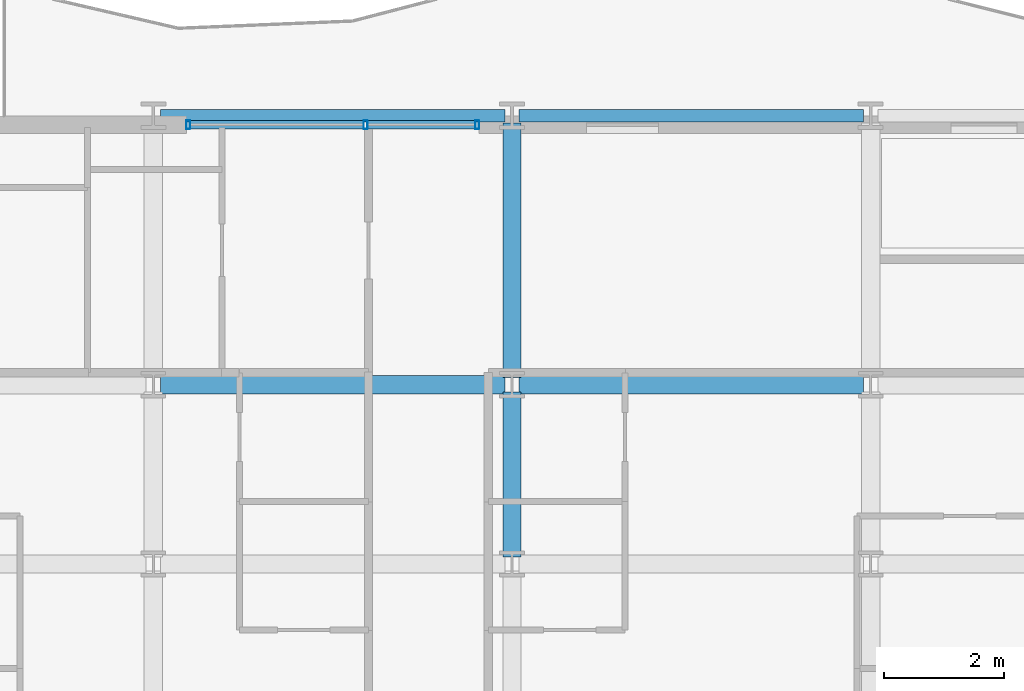
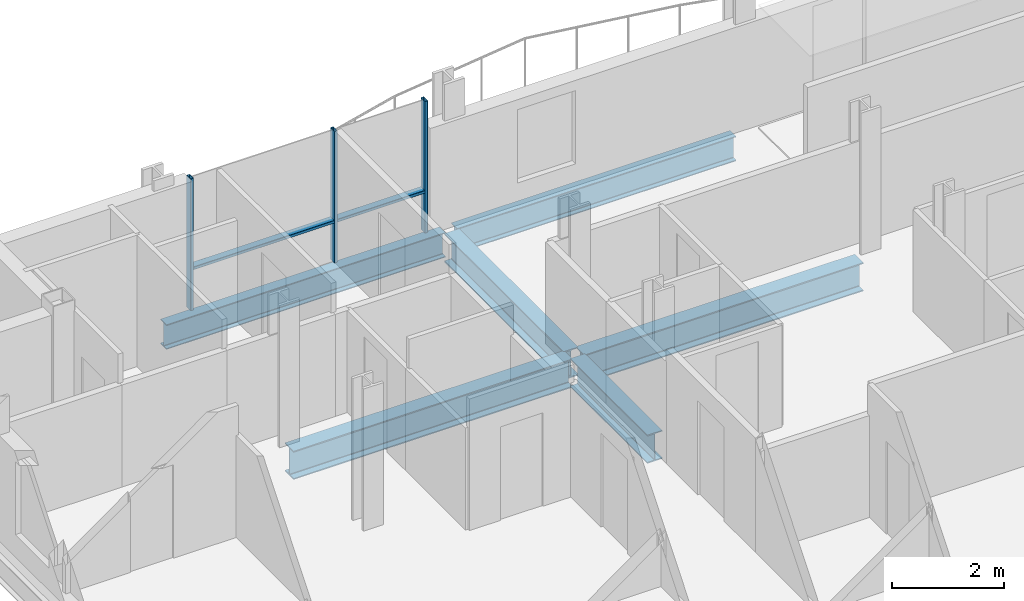
# One storey, part 7 of 39: 6 beams, 5 members, 1 element without a shape of its own.
"""IFC4 building model written with IfcOpenShell, lengths in metres."""

from ifc_helpers import new_model, si_unit, direction, frame, origin, origin_2d, place, context, subcontext, project, spatial, hollow_rectangle, i_section, extrude, material, layer, layer_set, material_profile, profile_set, type_object, element, aggregate, save


model = new_model("IFC4")

# Units and contexts
model_context = context("Model", 3, precision=1e-05, world=origin(), true_north=direction((0.0, 1.0)))
body_context = subcontext(model_context, "Body", "Model", "MODEL_VIEW")
ifc_project = project(units=[si_unit("LENGTHUNIT", "METRE"), si_unit("AREAUNIT", "SQUARE_METRE"), si_unit("VOLUMEUNIT", "CUBIC_METRE"), si_unit("PLANEANGLEUNIT", "RADIAN"), si_unit("MASSUNIT", "GRAM", prefix="KILO")], contexts=[model_context])

# Site, building, storey
site_placement = place(None, origin())
site = spatial("IfcSite", under=ifc_project, at=site_placement, CompositionType="ELEMENT")
building_placement = place(site_placement, origin())
building = spatial("IfcBuilding", under=site, at=building_placement, Name="Brevholm Reach", CompositionType="ELEMENT")
storey_placement = place(building_placement, frame((0.0, 0.0, 83.800048828125)))
storey = spatial("IfcBuildingStorey", under=building, at=storey_placement, Name="L24", CompositionType="ELEMENT", Elevation=83.800048828125)

# Beams
ifc_material_1 = material(Name="Structural Steel S355J2", Category="steel")
ifc_material_profile_1 = material_profile(ifc_material_1, i_section(OverallWidth=0.210693359375, OverallDepth=0.53955078125, WebThickness=0.01171875, FlangeThickness=0.018798828125, FilletRadius=0.0126953125, at=origin_2d()), Name="UKB 533x210x109")
ifc_profile_set_1 = profile_set([ifc_material_profile_1], Name="Structural Steel S355J2")
beam_type_1 = type_object("IfcBeamType", Name="BM-SP539", PredefinedType="SPANDREL", material=ifc_profile_set_1)
for number, where, z_axis, x_axis, name in (
    (1, (6.1201171875, 31.0, -0.499755859375), (1.0, 0.0, 0.0), (0.0, 1.0, 0.0), "L24 SP-01B Framing Beam"),
    (2, (12.1201171875, 31.0, -0.499755859375), (1.0, 0.0, 0.0), (0.0, 1.0, 0.0), "L24 SP-01B Framing Beam"),
):
    element("IfcBeam", number, at=place(storey_placement, frame(where, z_axis=z_axis, x_axis=x_axis)), inside=storey, type_object=beam_type_1, Name=name, PredefinedType="SPANDREL", context=body_context, shape_type="SweptSolid", body=[
        extrude(i_section(OverallWidth=0.210693359375, OverallDepth=0.53955078125, WebThickness=0.01171875, FlangeThickness=0.018798828125, FilletRadius=0.0126953125, at=origin_2d()), origin(), (0.0, 0.0, 1.0), 5.759765625),
    ])
ifc_material_2 = material(Name="Structural Steel S355J2", Category="steel")
ifc_material_profile_2 = material_profile(ifc_material_2, i_section(OverallWidth=0.30712890625, OverallDepth=0.6201171875, WebThickness=0.01416015625, FlangeThickness=0.023681640625, FilletRadius=0.0166015625, at=origin_2d()), Name="UKB 610x305x179")
ifc_profile_set_2 = profile_set([ifc_material_profile_2], Name="Structural Steel S355J2")
beam_type_2 = type_object("IfcBeamType", Name="BM-UKB610H", PredefinedType="USERDEFINED", material=ifc_profile_set_2)
for number, where, z_axis, x_axis, name in (
    (3, (6.1201171875, 26.5, -0.5400390625), (1.0, 0.0, 0.0), (0.0, 1.0, 0.0), "L24 G-06 Framing Beam"),
    (4, (12.1201171875, 26.5, -0.5400390625), (1.0, 0.0, 0.0), (0.0, 1.0, 0.0), "L24 G-06 Framing Beam"),
):
    element("IfcBeam", number, at=place(storey_placement, frame(where, z_axis=z_axis, x_axis=x_axis)), inside=storey, type_object=beam_type_2, Name=name, ObjectType="GIRDER", PredefinedType="USERDEFINED", context=body_context, shape_type="SweptSolid", body=[
        extrude(i_section(OverallWidth=0.30712890625, OverallDepth=0.6201171875, WebThickness=0.01416015625, FlangeThickness=0.023681640625, FilletRadius=0.0166015625, at=origin_2d()), origin(), (0.0, 0.0, 1.0), 5.759765625),
    ])
beam_1_placement = place(storey_placement, frame((12.0, 23.6201171875, -0.5400390625), z_axis=(0.0, 1.0, 0.0), x_axis=(-1.0, 0.0, 0.0)))
element("IfcBeam", 5, at=beam_1_placement, inside=storey, type_object=beam_type_2, Name="L24 G-06 Framing Beam", ObjectType="GIRDER", PredefinedType="USERDEFINED", context=body_context, shape_type="SweptSolid", body=[
    extrude(i_section(OverallWidth=0.30712890625, OverallDepth=0.6201171875, WebThickness=0.01416015625, FlangeThickness=0.023681640625, FilletRadius=0.0166015625, at=origin_2d()), origin(), (0.0, 0.0, 1.0), 2.759765625),
])
beam_2_placement = place(storey_placement, frame((12.0, 26.6201171875, -0.5400390625), z_axis=(0.0, 1.0, 0.0), x_axis=(-1.0, 0.0, 0.0)))
element("IfcBeam", 6, at=beam_2_placement, inside=storey, type_object=beam_type_2, Name="L24 G-06 Framing Beam", ObjectType="GIRDER", PredefinedType="USERDEFINED", context=body_context, shape_type="SweptSolid", body=[
    extrude(i_section(OverallWidth=0.30712890625, OverallDepth=0.6201171875, WebThickness=0.01416015625, FlangeThickness=0.023681640625, FilletRadius=0.0166015625, at=origin_2d()), origin(), (0.0, 0.0, 1.0), 4.259765625),
])

# Curtain wall, members
ifc_material_3 = material(Name="Dark Anodised Aluminium 6063-T6 and Solar-Control Glass", Category="aluminium")
ifc_layer = layer(ifc_material_3, 0.14990234375)
ifc_layer_set = layer_set([ifc_layer], Name="Dark Anodised Aluminium 6063-T6 and Solar-Control Glass")
curtain_wall_type = type_object("IfcCurtainWallType", Name="CW-01", PredefinedType="NOTDEFINED", material=ifc_layer_set)
curtain_wall_placement = place(storey_placement, origin())
curtain_wall = element("IfcCurtainWall", 7, at=curtain_wall_placement, inside=storey, type_object=curtain_wall_type, Name="L24 Curtain Wall CW-01", PredefinedType="NOTDEFINED")
ifc_material_4 = material(Name="Dark Anodised Aluminium 6063-T6", Category="aluminium")
ifc_material_profile_3 = material_profile(ifc_material_4, hollow_rectangle(XDim=0.06494140625, YDim=0.14990234375, WallThickness=0.0048828125, InnerFilletRadius=0.0048828125, OuterFilletRadius=0.010009765625, at=origin_2d()), Name="RHS 150x65x5")
ifc_profile_set_3 = profile_set([ifc_material_profile_3], Name="Dark Anodised Aluminium 6063-T6")
member_type_1 = type_object("IfcMemberType", Name="CWM-150", PredefinedType="MULLION", material=ifc_profile_set_3)
member_1_placement = place(storey_placement, frame((6.58251953125, 30.85009765625, 0.0), z_axis=(0.0, 0.0, 1.0), x_axis=(1.0, 0.0, 0.0)))
member_1 = element("IfcMember", 8, at=member_1_placement, type_object=member_type_1, Name="CM-150 Mullion 1", PredefinedType="MULLION", context=body_context, shape_type="SweptSolid", body=[
    extrude(hollow_rectangle(XDim=0.06494140625, YDim=0.14990234375, WallThickness=0.0048828125, InnerFilletRadius=0.0048828125, OuterFilletRadius=0.010009765625, at=origin_2d()), origin(), (0.0, 0.0, 1.0), 2.869873046875),
])
member_2_placement = place(storey_placement, frame((9.550048828125, 30.85009765625, 0.0), z_axis=(0.0, 0.0, 1.0), x_axis=(1.0, 0.0, 0.0)))
member_2 = element("IfcMember", 9, at=member_2_placement, type_object=member_type_1, Name="CM-150 Mullion 2", PredefinedType="MULLION", context=body_context, shape_type="SweptSolid", body=[
    extrude(hollow_rectangle(XDim=0.06494140625, YDim=0.14990234375, WallThickness=0.0048828125, InnerFilletRadius=0.0048828125, OuterFilletRadius=0.010009765625, at=origin_2d()), origin(), (0.0, 0.0, 1.0), 2.869873046875),
])
member_3_placement = place(storey_placement, frame((11.41748046875, 30.85009765625, 0.0), z_axis=(0.0, 0.0, 1.0), x_axis=(1.0, 0.0, 0.0)))
member_3 = element("IfcMember", 10, at=member_3_placement, type_object=member_type_1, Name="CM-150 Mullion 3", PredefinedType="MULLION", context=body_context, shape_type="SweptSolid", body=[
    extrude(hollow_rectangle(XDim=0.06494140625, YDim=0.14990234375, WallThickness=0.0048828125, InnerFilletRadius=0.0048828125, OuterFilletRadius=0.010009765625, at=origin_2d()), origin(), (0.0, 0.0, 1.0), 2.869873046875),
])
ifc_material_5 = material(Name="Dark Anodised Aluminium 6063-T6", Category="aluminium")
ifc_material_profile_4 = material_profile(ifc_material_5, hollow_rectangle(XDim=0.06494140625, YDim=0.14990234375, WallThickness=0.0048828125, InnerFilletRadius=0.0048828125, OuterFilletRadius=0.010009765625, at=origin_2d()), Name="RHS 150x65x5")
ifc_profile_set_4 = profile_set([ifc_material_profile_4], Name="Dark Anodised Aluminium 6063-T6")
member_type_2 = type_object("IfcMemberType", Name="CWT-150", PredefinedType="NOTDEFINED", material=ifc_profile_set_4)
member_4_placement = place(storey_placement, frame((6.614990234375, 30.85009765625, 0.89990234375), z_axis=(1.0, 0.0, 0.0), x_axis=(0.0, 0.0, 1.0)))
member_4 = element("IfcMember", 11, at=member_4_placement, type_object=member_type_2, Name="CT-150 Transom 1.1", ObjectType="TRANSOM", PredefinedType="USERDEFINED", context=body_context, shape_type="SweptSolid", body=[
    extrude(hollow_rectangle(XDim=0.06494140625, YDim=0.14990234375, WallThickness=0.0048828125, InnerFilletRadius=0.0048828125, OuterFilletRadius=0.010009765625, at=origin_2d()), origin(), (0.0, 0.0, 1.0), 2.902587890625),
])
member_5_placement = place(storey_placement, frame((9.58251953125, 30.85009765625, 0.89990234375), z_axis=(1.0, 0.0, 0.0), x_axis=(0.0, 0.0, 1.0)))
member_5 = element("IfcMember", 12, at=member_5_placement, type_object=member_type_2, Name="CT-150 Transom 2.1", ObjectType="TRANSOM", PredefinedType="USERDEFINED", context=body_context, shape_type="SweptSolid", body=[
    extrude(hollow_rectangle(XDim=0.06494140625, YDim=0.14990234375, WallThickness=0.0048828125, InnerFilletRadius=0.0048828125, OuterFilletRadius=0.010009765625, at=origin_2d()), origin(), (0.0, 0.0, 1.0), 1.802490234375),
])
aggregate(curtain_wall, [member_1, member_2, member_3, member_4, member_5])

save(model, "model.ifc")
